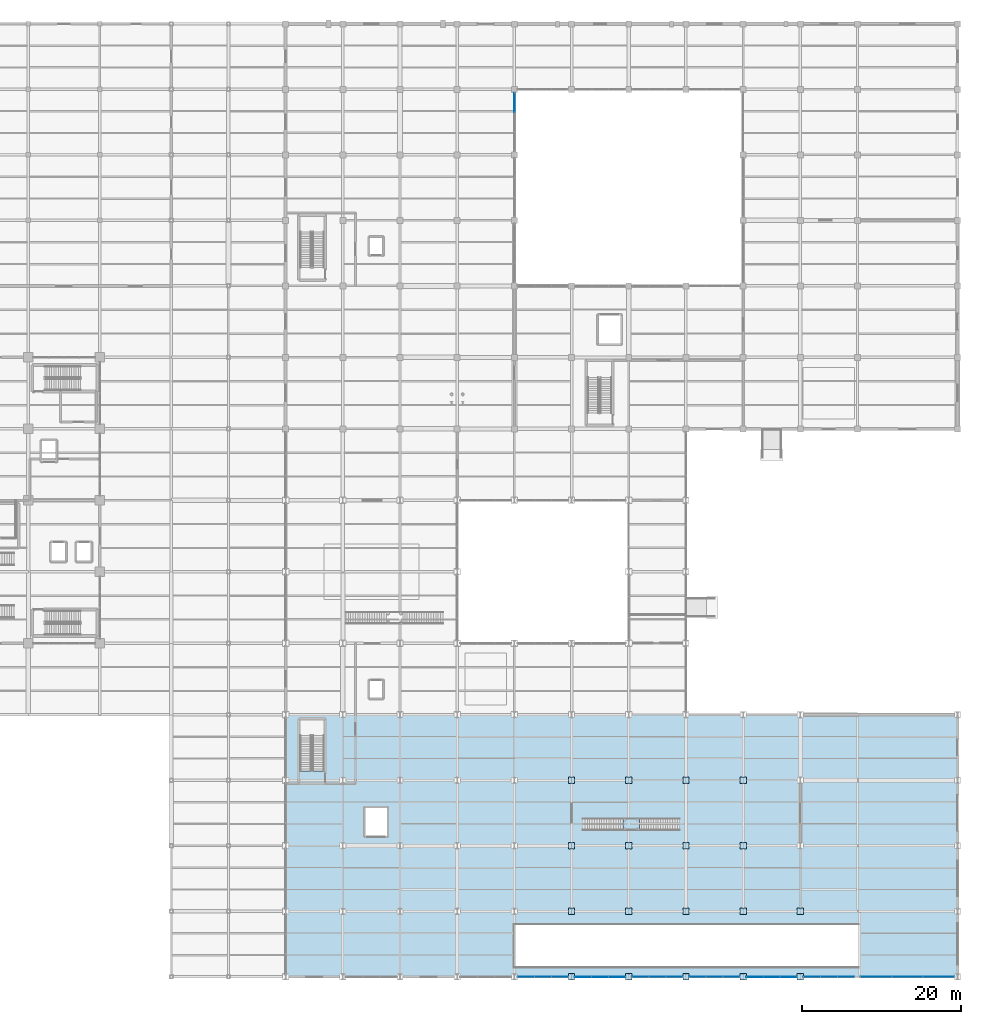
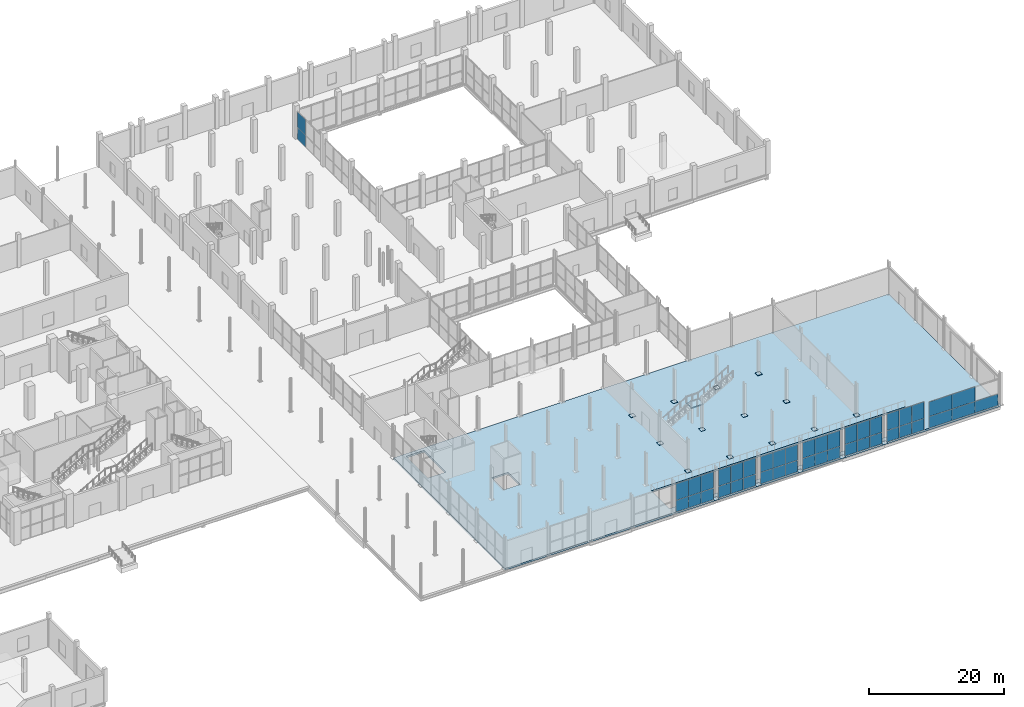
# One storey, part 119 of 144: 61 plates, 2 slabs, 9 elements without a shape of their own.
"""IFC4 building model written with IfcOpenShell, lengths in metres."""

from ifc_helpers import new_model, si_unit, direction, frame, origin, origin_2d, place, context, subcontext, project, spatial, polyline, rectangle, outline, extrude, material, layer, layer_set, type_object, element, aggregate, save


model = new_model("IFC4")

# Units and contexts
model_context = context("Model", 3, precision=1e-05, world=origin(), true_north=direction((0.0, 1.0)))
body_context = subcontext(model_context, "Body", "Model", "MODEL_VIEW")
ifc_project = project(units=[si_unit("LENGTHUNIT", "METRE"), si_unit("AREAUNIT", "SQUARE_METRE"), si_unit("VOLUMEUNIT", "CUBIC_METRE"), si_unit("PLANEANGLEUNIT", "RADIAN"), si_unit("MASSUNIT", "GRAM", prefix="KILO")], contexts=[model_context])

# Site, building, storey
site_placement = place(None, origin())
site = spatial("IfcSite", under=ifc_project, at=site_placement, CompositionType="ELEMENT")
building_placement = place(site_placement, origin())
building = spatial("IfcBuilding", under=site, at=building_placement, Name="Sundgate Opera House", CompositionType="ELEMENT")
storey_placement = place(building_placement, origin())
storey = spatial("IfcBuildingStorey", under=building, at=storey_placement, Name="L00", CompositionType="ELEMENT", Elevation=0.0)

# Curtain wall, plates
ifc_material_1 = material(Name="Anodized aluminium and low-iron glass", Category="aluminium")
ifc_layer_1 = layer(ifc_material_1, 0.159912109375)
ifc_layer_set_1 = layer_set([ifc_layer_1], Name="Anodized aluminium and low-iron glass")
curtain_wall_type_1 = type_object("IfcCurtainWallType", Name="CW-STUDIO-DARK", PredefinedType="NOTDEFINED", material=ifc_layer_set_1)
curtain_wall_1_placement = place(storey_placement, origin())
curtain_wall_1 = element("IfcCurtainWall", 1, at=curtain_wall_1_placement, inside=storey, type_object=curtain_wall_type_1, Name="L00 Curtain Wall CW092", PredefinedType="NOTDEFINED")
ifc_material_2 = material(Name="Low-iron triple acoustic glazing", Category="glass")
ifc_layer_2 = layer(ifc_material_2, 0.035888671875)
ifc_layer_set_2 = layer_set([ifc_layer_2], Name="Low-iron triple acoustic glazing")
plate_type_1 = type_object("IfcPlateType", Name="CWP-CLEAR-36", PredefinedType="CURTAIN_PANEL", material=ifc_layer_set_2)
plate_1_placement = place(storey_placement, frame((124.199951171875, 110.074951171875, 0.02001953125), z_axis=(0.0, 0.0, 1.0), x_axis=(0.0, 1.0, 0.0)))
plate_1 = element("IfcPlate", 2, at=plate_1_placement, type_object=plate_type_1, Name="CW092 Panel 5", PredefinedType="CURTAIN_PANEL", context=body_context, shape_type="SweptSolid", body=[
    extrude(rectangle(XDim=2.409912109375, YDim=0.035888671875, at=origin_2d()), origin(), (0.0, 0.0, 1.0), 2.110107421875),
])
plate_2_placement = place(storey_placement, frame((124.199951171875, 110.074951171875, 2.170166015625), z_axis=(0.0, 0.0, 1.0), x_axis=(0.0, 1.0, 0.0)))
plate_2 = element("IfcPlate", 3, at=plate_2_placement, type_object=plate_type_1, Name="CW092 Panel 6", PredefinedType="CURTAIN_PANEL", context=body_context, shape_type="SweptSolid", body=[
    extrude(rectangle(XDim=2.409912109375, YDim=0.035888671875, at=origin_2d()), origin(), (0.0, 0.0, 1.0), 2.77490234375),
])
aggregate(curtain_wall_1, [plate_1, plate_2])

ifc_material_3 = material(Name="Anodized aluminium and low-iron glass", Category="aluminium")
ifc_layer_3 = layer(ifc_material_3, 0.14990234375)
ifc_layer_set_3 = layer_set([ifc_layer_3], Name="Anodized aluminium and low-iron glass")
curtain_wall_type_2 = type_object("IfcCurtainWallType", Name="CW-WORKSHOP-DARK", PredefinedType="NOTDEFINED", material=ifc_layer_set_3)
curtain_wall_2_placement = place(storey_placement, origin())
curtain_wall_2 = element("IfcCurtainWall", 4, at=curtain_wall_2_placement, inside=storey, type_object=curtain_wall_type_2, Name="L00 Curtain Wall CW124", PredefinedType="NOTDEFINED")
ifc_material_4 = material(Name="Dark solar-control triple acoustic glazing", Category="glass")
ifc_layer_4 = layer(ifc_material_4, 0.031982421875)
ifc_layer_set_4 = layer_set([ifc_layer_4], Name="Dark solar-control triple acoustic glazing")
plate_type_2 = type_object("IfcPlateType", Name="CWP-DARK-32", PredefinedType="CURTAIN_PANEL", material=ifc_layer_set_4)
plate_3_placement = place(storey_placement, frame((129.933349609375, 0.0, 0.02001953125), z_axis=(0.0, 0.0, 1.0), x_axis=(-1.0, 0.0, 0.0)))
plate_3 = element("IfcPlate", 5, at=plate_3_placement, type_object=plate_type_2, Name="CW124 Panel 1", PredefinedType="CURTAIN_PANEL", context=body_context, shape_type="SweptSolid", body=[
    extrude(rectangle(XDim=2.09326171875, YDim=0.031982421875, at=origin_2d()), origin(), (0.0, 0.0, 1.0), 2.06005859375),
])
plate_4_placement = place(storey_placement, frame((129.933349609375, 0.0, 2.119873046875), z_axis=(0.0, 0.0, 1.0), x_axis=(-1.0, 0.0, 0.0)))
plate_4 = element("IfcPlate", 6, at=plate_4_placement, type_object=plate_type_2, Name="CW124 Panel 2", PredefinedType="CURTAIN_PANEL", context=body_context, shape_type="SweptSolid", body=[
    extrude(rectangle(XDim=2.09326171875, YDim=0.031982421875, at=origin_2d()), origin(), (0.0, 0.0, 1.0), 2.97509765625),
])
plate_5_placement = place(storey_placement, frame((127.800048828125, 0.0, 0.02001953125), z_axis=(0.0, 0.0, 1.0), x_axis=(-1.0, 0.0, 0.0)))
plate_5 = element("IfcPlate", 7, at=plate_5_placement, type_object=plate_type_2, Name="CW124 Panel 3", PredefinedType="CURTAIN_PANEL", context=body_context, shape_type="SweptSolid", body=[
    extrude(rectangle(XDim=2.09326171875, YDim=0.031982421875, at=origin_2d()), origin(), (0.0, 0.0, 1.0), 2.06005859375),
])
plate_6_placement = place(storey_placement, frame((127.800048828125, 0.0, 2.119873046875), z_axis=(0.0, 0.0, 1.0), x_axis=(-1.0, 0.0, 0.0)))
plate_6 = element("IfcPlate", 8, at=plate_6_placement, type_object=plate_type_2, Name="CW124 Panel 4", PredefinedType="CURTAIN_PANEL", context=body_context, shape_type="SweptSolid", body=[
    extrude(rectangle(XDim=2.09326171875, YDim=0.031982421875, at=origin_2d()), origin(), (0.0, 0.0, 1.0), 2.97509765625),
])
plate_7_placement = place(storey_placement, frame((125.666748046875, 0.0, 0.02001953125), z_axis=(0.0, 0.0, 1.0), x_axis=(-1.0, 0.0, 0.0)))
plate_7 = element("IfcPlate", 9, at=plate_7_placement, type_object=plate_type_2, Name="CW124 Panel 5", PredefinedType="CURTAIN_PANEL", context=body_context, shape_type="SweptSolid", body=[
    extrude(rectangle(XDim=2.09326171875, YDim=0.031982421875, at=origin_2d()), origin(), (0.0, 0.0, 1.0), 2.06005859375),
])
plate_8_placement = place(storey_placement, frame((125.666748046875, 0.0, 2.119873046875), z_axis=(0.0, 0.0, 1.0), x_axis=(-1.0, 0.0, 0.0)))
plate_8 = element("IfcPlate", 10, at=plate_8_placement, type_object=plate_type_2, Name="CW124 Panel 6", PredefinedType="CURTAIN_PANEL", context=body_context, shape_type="SweptSolid", body=[
    extrude(rectangle(XDim=2.09326171875, YDim=0.031982421875, at=origin_2d()), origin(), (0.0, 0.0, 1.0), 2.97509765625),
])
aggregate(curtain_wall_2, [plate_3, plate_4, plate_5, plate_6, plate_7, plate_8])

curtain_wall_3_placement = place(storey_placement, origin())
curtain_wall_3 = element("IfcCurtainWall", 11, at=curtain_wall_3_placement, inside=storey, type_object=curtain_wall_type_2, Name="L00 Curtain Wall CW126", PredefinedType="NOTDEFINED")
plate_9_placement = place(storey_placement, frame((144.333251953125, 0.0, 0.02001953125), z_axis=(0.0, 0.0, 1.0), x_axis=(-1.0, 0.0, 0.0)))
plate_9 = element("IfcPlate", 12, at=plate_9_placement, type_object=plate_type_2, Name="CW126 Panel 1", PredefinedType="CURTAIN_PANEL", context=body_context, shape_type="SweptSolid", body=[
    extrude(rectangle(XDim=2.09326171875, YDim=0.031982421875, at=origin_2d()), origin(), (0.0, 0.0, 1.0), 2.06005859375),
])
plate_10_placement = place(storey_placement, frame((144.333251953125, 0.0, 2.1201171875), z_axis=(0.0, 0.0, 1.0), x_axis=(-1.0, 0.0, 0.0)))
plate_10 = element("IfcPlate", 13, at=plate_10_placement, type_object=plate_type_2, Name="CW126 Panel 2", PredefinedType="CURTAIN_PANEL", context=body_context, shape_type="SweptSolid", body=[
    extrude(rectangle(XDim=2.09326171875, YDim=0.031982421875, at=origin_2d()), origin(), (0.0, 0.0, 1.0), 2.824951171875),
])
plate_11_placement = place(storey_placement, frame((142.199951171875, 0.0, 0.02001953125), z_axis=(0.0, 0.0, 1.0), x_axis=(-1.0, 0.0, 0.0)))
plate_11 = element("IfcPlate", 14, at=plate_11_placement, type_object=plate_type_2, Name="CW126 Panel 3", PredefinedType="CURTAIN_PANEL", context=body_context, shape_type="SweptSolid", body=[
    extrude(rectangle(XDim=2.09326171875, YDim=0.031982421875, at=origin_2d()), origin(), (0.0, 0.0, 1.0), 2.06005859375),
])
plate_12_placement = place(storey_placement, frame((142.199951171875, 0.0, 2.1201171875), z_axis=(0.0, 0.0, 1.0), x_axis=(-1.0, 0.0, 0.0)))
plate_12 = element("IfcPlate", 15, at=plate_12_placement, type_object=plate_type_2, Name="CW126 Panel 4", PredefinedType="CURTAIN_PANEL", context=body_context, shape_type="SweptSolid", body=[
    extrude(rectangle(XDim=2.09326171875, YDim=0.031982421875, at=origin_2d()), origin(), (0.0, 0.0, 1.0), 2.824951171875),
])
plate_13_placement = place(storey_placement, frame((140.066650390625, 0.0, 0.02001953125), z_axis=(0.0, 0.0, 1.0), x_axis=(-1.0, 0.0, 0.0)))
plate_13 = element("IfcPlate", 16, at=plate_13_placement, type_object=plate_type_2, Name="CW126 Panel 5", PredefinedType="CURTAIN_PANEL", context=body_context, shape_type="SweptSolid", body=[
    extrude(rectangle(XDim=2.09326171875, YDim=0.031982421875, at=origin_2d()), origin(), (0.0, 0.0, 1.0), 2.06005859375),
])
plate_14_placement = place(storey_placement, frame((140.066650390625, 0.0, 2.1201171875), z_axis=(0.0, 0.0, 1.0), x_axis=(-1.0, 0.0, 0.0)))
plate_14 = element("IfcPlate", 17, at=plate_14_placement, type_object=plate_type_2, Name="CW126 Panel 6", PredefinedType="CURTAIN_PANEL", context=body_context, shape_type="SweptSolid", body=[
    extrude(rectangle(XDim=2.09326171875, YDim=0.031982421875, at=origin_2d()), origin(), (0.0, 0.0, 1.0), 2.824951171875),
])
aggregate(curtain_wall_3, [plate_9, plate_10, plate_11, plate_12, plate_13, plate_14])

curtain_wall_4_placement = place(storey_placement, origin())
curtain_wall_4 = element("IfcCurtainWall", 18, at=curtain_wall_4_placement, inside=storey, type_object=curtain_wall_type_2, Name="L00 Curtain Wall CW127", PredefinedType="NOTDEFINED")
plate_15_placement = place(storey_placement, frame((151.533447265625, 0.0, 0.02001953125), z_axis=(0.0, 0.0, 1.0), x_axis=(-1.0, 0.0, 0.0)))
plate_15 = element("IfcPlate", 19, at=plate_15_placement, type_object=plate_type_2, Name="CW127 Panel 1", PredefinedType="CURTAIN_PANEL", context=body_context, shape_type="SweptSolid", body=[
    extrude(rectangle(XDim=2.09326171875, YDim=0.031982421875, at=origin_2d()), origin(), (0.0, 0.0, 1.0), 2.06005859375),
])
plate_16_placement = place(storey_placement, frame((151.533447265625, 0.0, 2.1201171875), z_axis=(0.0, 0.0, 1.0), x_axis=(-1.0, 0.0, 0.0)))
plate_16 = element("IfcPlate", 20, at=plate_16_placement, type_object=plate_type_2, Name="CW127 Panel 2", PredefinedType="CURTAIN_PANEL", context=body_context, shape_type="SweptSolid", body=[
    extrude(rectangle(XDim=2.09326171875, YDim=0.031982421875, at=origin_2d()), origin(), (0.0, 0.0, 1.0), 2.824951171875),
])
plate_17_placement = place(storey_placement, frame((149.39990234375, 0.0, 0.02001953125), z_axis=(0.0, 0.0, 1.0), x_axis=(-1.0, 0.0, 0.0)))
plate_17 = element("IfcPlate", 21, at=plate_17_placement, type_object=plate_type_2, Name="CW127 Panel 3", PredefinedType="CURTAIN_PANEL", context=body_context, shape_type="SweptSolid", body=[
    extrude(rectangle(XDim=2.09326171875, YDim=0.031982421875, at=origin_2d()), origin(), (0.0, 0.0, 1.0), 2.06005859375),
])
plate_18_placement = place(storey_placement, frame((149.39990234375, 0.0, 2.1201171875), z_axis=(0.0, 0.0, 1.0), x_axis=(-1.0, 0.0, 0.0)))
plate_18 = element("IfcPlate", 22, at=plate_18_placement, type_object=plate_type_2, Name="CW127 Panel 4", PredefinedType="CURTAIN_PANEL", context=body_context, shape_type="SweptSolid", body=[
    extrude(rectangle(XDim=2.09326171875, YDim=0.031982421875, at=origin_2d()), origin(), (0.0, 0.0, 1.0), 2.824951171875),
])
plate_19_placement = place(storey_placement, frame((147.2666015625, 0.0, 0.02001953125), z_axis=(0.0, 0.0, 1.0), x_axis=(-1.0, 0.0, 0.0)))
plate_19 = element("IfcPlate", 23, at=plate_19_placement, type_object=plate_type_2, Name="CW127 Panel 5", PredefinedType="CURTAIN_PANEL", context=body_context, shape_type="SweptSolid", body=[
    extrude(rectangle(XDim=2.09326171875, YDim=0.031982421875, at=origin_2d()), origin(), (0.0, 0.0, 1.0), 2.06005859375),
])
plate_20_placement = place(storey_placement, frame((147.2666015625, 0.0, 2.1201171875), z_axis=(0.0, 0.0, 1.0), x_axis=(-1.0, 0.0, 0.0)))
plate_20 = element("IfcPlate", 24, at=plate_20_placement, type_object=plate_type_2, Name="CW127 Panel 6", PredefinedType="CURTAIN_PANEL", context=body_context, shape_type="SweptSolid", body=[
    extrude(rectangle(XDim=2.09326171875, YDim=0.031982421875, at=origin_2d()), origin(), (0.0, 0.0, 1.0), 2.824951171875),
])
aggregate(curtain_wall_4, [plate_15, plate_16, plate_17, plate_18, plate_19, plate_20])

curtain_wall_5_placement = place(storey_placement, origin())
curtain_wall_5 = element("IfcCurtainWall", 25, at=curtain_wall_5_placement, inside=storey, type_object=curtain_wall_type_2, Name="L00 Curtain Wall CW129", PredefinedType="NOTDEFINED")
plate_21_placement = place(storey_placement, frame((165.933349609375, 0.0, 0.02001953125), z_axis=(0.0, 0.0, 1.0), x_axis=(-1.0, 0.0, 0.0)))
plate_21 = element("IfcPlate", 26, at=plate_21_placement, type_object=plate_type_2, Name="CW129 Panel 1", PredefinedType="CURTAIN_PANEL", context=body_context, shape_type="SweptSolid", body=[
    extrude(rectangle(XDim=2.09326171875, YDim=0.031982421875, at=origin_2d()), origin(), (0.0, 0.0, 1.0), 2.06005859375),
])
plate_22_placement = place(storey_placement, frame((165.933349609375, 0.0, 2.119873046875), z_axis=(0.0, 0.0, 1.0), x_axis=(-1.0, 0.0, 0.0)))
plate_22 = element("IfcPlate", 27, at=plate_22_placement, type_object=plate_type_2, Name="CW129 Panel 2", PredefinedType="CURTAIN_PANEL", context=body_context, shape_type="SweptSolid", body=[
    extrude(rectangle(XDim=2.09326171875, YDim=0.031982421875, at=origin_2d()), origin(), (0.0, 0.0, 1.0), 2.97509765625),
])
plate_23_placement = place(storey_placement, frame((163.800048828125, 0.0, 0.02001953125), z_axis=(0.0, 0.0, 1.0), x_axis=(-1.0, 0.0, 0.0)))
plate_23 = element("IfcPlate", 28, at=plate_23_placement, type_object=plate_type_2, Name="CW129 Panel 3", PredefinedType="CURTAIN_PANEL", context=body_context, shape_type="SweptSolid", body=[
    extrude(rectangle(XDim=2.09326171875, YDim=0.031982421875, at=origin_2d()), origin(), (0.0, 0.0, 1.0), 2.06005859375),
])
plate_24_placement = place(storey_placement, frame((163.800048828125, 0.0, 2.119873046875), z_axis=(0.0, 0.0, 1.0), x_axis=(-1.0, 0.0, 0.0)))
plate_24 = element("IfcPlate", 29, at=plate_24_placement, type_object=plate_type_2, Name="CW129 Panel 4", PredefinedType="CURTAIN_PANEL", context=body_context, shape_type="SweptSolid", body=[
    extrude(rectangle(XDim=2.09326171875, YDim=0.031982421875, at=origin_2d()), origin(), (0.0, 0.0, 1.0), 2.97509765625),
])
plate_25_placement = place(storey_placement, frame((161.666748046875, 0.0, 0.02001953125), z_axis=(0.0, 0.0, 1.0), x_axis=(-1.0, 0.0, 0.0)))
plate_25 = element("IfcPlate", 30, at=plate_25_placement, type_object=plate_type_2, Name="CW129 Panel 5", PredefinedType="CURTAIN_PANEL", context=body_context, shape_type="SweptSolid", body=[
    extrude(rectangle(XDim=2.09326171875, YDim=0.031982421875, at=origin_2d()), origin(), (0.0, 0.0, 1.0), 2.06005859375),
])
plate_26_placement = place(storey_placement, frame((161.666748046875, 0.0, 2.119873046875), z_axis=(0.0, 0.0, 1.0), x_axis=(-1.0, 0.0, 0.0)))
plate_26 = element("IfcPlate", 31, at=plate_26_placement, type_object=plate_type_2, Name="CW129 Panel 6", PredefinedType="CURTAIN_PANEL", context=body_context, shape_type="SweptSolid", body=[
    extrude(rectangle(XDim=2.09326171875, YDim=0.031982421875, at=origin_2d()), origin(), (0.0, 0.0, 1.0), 2.97509765625),
])
aggregate(curtain_wall_5, [plate_21, plate_22, plate_23, plate_24, plate_25, plate_26])

curtain_wall_6_placement = place(storey_placement, origin())
curtain_wall_6 = element("IfcCurtainWall", 32, at=curtain_wall_6_placement, inside=storey, type_object=curtain_wall_type_2, Name="L00 Curtain Wall CW130", PredefinedType="NOTDEFINED")
plate_27_placement = place(storey_placement, frame((177.63330078125, 0.0, 0.02001953125), z_axis=(0.0, 0.0, 1.0), x_axis=(-1.0, 0.0, 0.0)))
plate_27 = element("IfcPlate", 33, at=plate_27_placement, type_object=plate_type_2, Name="CW130 Panel 1", PredefinedType="CURTAIN_PANEL", context=body_context, shape_type="SweptSolid", body=[
    extrude(rectangle(XDim=3.893310546875, YDim=0.031982421875, at=origin_2d()), origin(), (0.0, 0.0, 1.0), 2.06005859375),
])
plate_28_placement = place(storey_placement, frame((173.699951171875, 0.0, 0.02001953125), z_axis=(0.0, 0.0, 1.0), x_axis=(-1.0, 0.0, 0.0)))
plate_28 = element("IfcPlate", 34, at=plate_28_placement, type_object=plate_type_2, Name="CW130 Panel 3", PredefinedType="CURTAIN_PANEL", context=body_context, shape_type="SweptSolid", body=[
    extrude(rectangle(XDim=3.893310546875, YDim=0.031982421875, at=origin_2d()), origin(), (0.0, 0.0, 1.0), 2.06005859375),
])
plate_29_placement = place(storey_placement, frame((173.699951171875, 0.0, 2.1201171875), z_axis=(0.0, 0.0, 1.0), x_axis=(-1.0, 0.0, 0.0)))
plate_29 = element("IfcPlate", 35, at=plate_29_placement, type_object=plate_type_2, Name="CW130 Panel 4", PredefinedType="CURTAIN_PANEL", context=body_context, shape_type="SweptSolid", body=[
    extrude(rectangle(XDim=3.893310546875, YDim=0.031982421875, at=origin_2d()), origin(), (0.0, 0.0, 1.0), 2.6298828125),
])
plate_30_placement = place(storey_placement, frame((169.7666015625, 0.0, 0.02001953125), z_axis=(0.0, 0.0, 1.0), x_axis=(-1.0, 0.0, 0.0)))
plate_30 = element("IfcPlate", 36, at=plate_30_placement, type_object=plate_type_2, Name="CW130 Panel 5", PredefinedType="CURTAIN_PANEL", context=body_context, shape_type="SweptSolid", body=[
    extrude(rectangle(XDim=3.893310546875, YDim=0.031982421875, at=origin_2d()), origin(), (0.0, 0.0, 1.0), 2.06005859375),
])
plate_31_placement = place(storey_placement, frame((169.7666015625, 0.0, 2.1201171875), z_axis=(0.0, 0.0, 1.0), x_axis=(-1.0, 0.0, 0.0)))
plate_31 = element("IfcPlate", 37, at=plate_31_placement, type_object=plate_type_2, Name="CW130 Panel 6", PredefinedType="CURTAIN_PANEL", context=body_context, shape_type="SweptSolid", body=[
    extrude(rectangle(XDim=3.893310546875, YDim=0.031982421875, at=origin_2d()), origin(), (0.0, 0.0, 1.0), 2.6298828125),
])
aggregate(curtain_wall_6, [plate_27, plate_28, plate_29, plate_30, plate_31])

curtain_wall_7_placement = place(storey_placement, origin())
curtain_wall_7 = element("IfcCurtainWall", 38, at=curtain_wall_7_placement, inside=storey, type_object=curtain_wall_type_2, Name="L00 Curtain Wall CW125", PredefinedType="NOTDEFINED")
ifc_material_5 = material(Name="Vitrified stoneware trencadis spandrel panel", Category="masonry")
ifc_layer_5 = layer(ifc_material_5, 0.0419921875)
ifc_layer_set_5 = layer_set([ifc_layer_5], Name="Vitrified stoneware trencadis spandrel panel")
plate_type_3 = type_object("IfcPlateType", Name="CWP-SPAND-42", PredefinedType="CURTAIN_PANEL", material=ifc_layer_set_5)
plate_32_placement = place(storey_placement, frame((137.13330078125, 0.0, 0.02001953125), z_axis=(0.0, 0.0, 1.0), x_axis=(-1.0, 0.0, 0.0)))
plate_32 = element("IfcPlate", 39, at=plate_32_placement, type_object=plate_type_3, Name="CW125 Panel 1", PredefinedType="CURTAIN_PANEL", context=body_context, shape_type="SweptSolid", body=[
    extrude(rectangle(XDim=2.09326171875, YDim=0.0419921875, at=origin_2d()), origin(), (0.0, 0.0, 1.0), 2.06005859375),
])
plate_33_placement = place(storey_placement, frame((137.13330078125, 0.0, 2.119873046875), z_axis=(0.0, 0.0, 1.0), x_axis=(-1.0, 0.0, 0.0)))
plate_33 = element("IfcPlate", 40, at=plate_33_placement, type_object=plate_type_3, Name="CW125 Panel 2", PredefinedType="CURTAIN_PANEL", context=body_context, shape_type="SweptSolid", body=[
    extrude(rectangle(XDim=2.09326171875, YDim=0.0419921875, at=origin_2d()), origin(), (0.0, 0.0, 1.0), 2.93505859375),
])
plate_34_placement = place(storey_placement, frame((135.0, 0.0, 0.02001953125), z_axis=(0.0, 0.0, 1.0), x_axis=(-1.0, 0.0, 0.0)))
plate_34 = element("IfcPlate", 41, at=plate_34_placement, type_object=plate_type_3, Name="CW125 Panel 3", PredefinedType="CURTAIN_PANEL", context=body_context, shape_type="SweptSolid", body=[
    extrude(rectangle(XDim=2.09326171875, YDim=0.0419921875, at=origin_2d()), origin(), (0.0, 0.0, 1.0), 2.06005859375),
])
plate_35_placement = place(storey_placement, frame((135.0, 0.0, 2.119873046875), z_axis=(0.0, 0.0, 1.0), x_axis=(-1.0, 0.0, 0.0)))
plate_35 = element("IfcPlate", 42, at=plate_35_placement, type_object=plate_type_3, Name="CW125 Panel 4", PredefinedType="CURTAIN_PANEL", context=body_context, shape_type="SweptSolid", body=[
    extrude(rectangle(XDim=2.09326171875, YDim=0.0419921875, at=origin_2d()), origin(), (0.0, 0.0, 1.0), 2.93505859375),
])
plate_36_placement = place(storey_placement, frame((132.86669921875, 0.0, 0.02001953125), z_axis=(0.0, 0.0, 1.0), x_axis=(-1.0, 0.0, 0.0)))
plate_36 = element("IfcPlate", 43, at=plate_36_placement, type_object=plate_type_3, Name="CW125 Panel 5", PredefinedType="CURTAIN_PANEL", context=body_context, shape_type="SweptSolid", body=[
    extrude(rectangle(XDim=2.09326171875, YDim=0.0419921875, at=origin_2d()), origin(), (0.0, 0.0, 1.0), 2.06005859375),
])
plate_37_placement = place(storey_placement, frame((132.86669921875, 0.0, 2.119873046875), z_axis=(0.0, 0.0, 1.0), x_axis=(-1.0, 0.0, 0.0)))
plate_37 = element("IfcPlate", 44, at=plate_37_placement, type_object=plate_type_3, Name="CW125 Panel 6", PredefinedType="CURTAIN_PANEL", context=body_context, shape_type="SweptSolid", body=[
    extrude(rectangle(XDim=2.09326171875, YDim=0.0419921875, at=origin_2d()), origin(), (0.0, 0.0, 1.0), 2.93505859375),
])
aggregate(curtain_wall_7, [plate_32, plate_33, plate_34, plate_35, plate_36, plate_37])

curtain_wall_8_placement = place(storey_placement, origin())
curtain_wall_8 = element("IfcCurtainWall", 45, at=curtain_wall_8_placement, inside=storey, type_object=curtain_wall_type_2, Name="L00 Curtain Wall CW128", PredefinedType="NOTDEFINED")
plate_38_placement = place(storey_placement, frame((158.7333984375, 0.0, 0.02001953125), z_axis=(0.0, 0.0, 1.0), x_axis=(-1.0, 0.0, 0.0)))
plate_38 = element("IfcPlate", 46, at=plate_38_placement, type_object=plate_type_3, Name="CW128 Panel 1", PredefinedType="CURTAIN_PANEL", context=body_context, shape_type="SweptSolid", body=[
    extrude(rectangle(XDim=2.09326171875, YDim=0.0419921875, at=origin_2d()), origin(), (0.0, 0.0, 1.0), 2.06005859375),
])
plate_39_placement = place(storey_placement, frame((158.7333984375, 0.0, 2.119873046875), z_axis=(0.0, 0.0, 1.0), x_axis=(-1.0, 0.0, 0.0)))
plate_39 = element("IfcPlate", 47, at=plate_39_placement, type_object=plate_type_3, Name="CW128 Panel 2", PredefinedType="CURTAIN_PANEL", context=body_context, shape_type="SweptSolid", body=[
    extrude(rectangle(XDim=2.09326171875, YDim=0.0419921875, at=origin_2d()), origin(), (0.0, 0.0, 1.0), 2.97509765625),
])
plate_40_placement = place(storey_placement, frame((156.60009765625, 0.0, 0.02001953125), z_axis=(0.0, 0.0, 1.0), x_axis=(-1.0, 0.0, 0.0)))
plate_40 = element("IfcPlate", 48, at=plate_40_placement, type_object=plate_type_3, Name="CW128 Panel 3", PredefinedType="CURTAIN_PANEL", context=body_context, shape_type="SweptSolid", body=[
    extrude(rectangle(XDim=2.09326171875, YDim=0.0419921875, at=origin_2d()), origin(), (0.0, 0.0, 1.0), 2.06005859375),
])
plate_41_placement = place(storey_placement, frame((156.60009765625, 0.0, 2.119873046875), z_axis=(0.0, 0.0, 1.0), x_axis=(-1.0, 0.0, 0.0)))
plate_41 = element("IfcPlate", 49, at=plate_41_placement, type_object=plate_type_3, Name="CW128 Panel 4", PredefinedType="CURTAIN_PANEL", context=body_context, shape_type="SweptSolid", body=[
    extrude(rectangle(XDim=2.09326171875, YDim=0.0419921875, at=origin_2d()), origin(), (0.0, 0.0, 1.0), 2.97509765625),
])
plate_42_placement = place(storey_placement, frame((154.466552734375, 0.0, 0.02001953125), z_axis=(0.0, 0.0, 1.0), x_axis=(-1.0, 0.0, 0.0)))
plate_42 = element("IfcPlate", 50, at=plate_42_placement, type_object=plate_type_3, Name="CW128 Panel 5", PredefinedType="CURTAIN_PANEL", context=body_context, shape_type="SweptSolid", body=[
    extrude(rectangle(XDim=2.09326171875, YDim=0.0419921875, at=origin_2d()), origin(), (0.0, 0.0, 1.0), 2.06005859375),
])
plate_43_placement = place(storey_placement, frame((154.466552734375, 0.0, 2.119873046875), z_axis=(0.0, 0.0, 1.0), x_axis=(-1.0, 0.0, 0.0)))
plate_43 = element("IfcPlate", 51, at=plate_43_placement, type_object=plate_type_3, Name="CW128 Panel 6", PredefinedType="CURTAIN_PANEL", context=body_context, shape_type="SweptSolid", body=[
    extrude(rectangle(XDim=2.09326171875, YDim=0.0419921875, at=origin_2d()), origin(), (0.0, 0.0, 1.0), 2.97509765625),
])
aggregate(curtain_wall_8, [plate_38, plate_39, plate_40, plate_41, plate_42, plate_43])

# Plates
ifc_material_6 = material(Name="Steel S355J2", Category="steel")
ifc_layer_6 = layer(ifc_material_6, 0.02587890625)
ifc_layer_set_6 = layer_set([ifc_layer_6], Name="Steel S355J2")
plate_type_4 = type_object("IfcPlateType", Name="PT-BAS-26", PredefinedType="USERDEFINED", material=ifc_layer_set_6)
for number, where, z_axis, x_axis, name in (
    (52, (138.60009765625, 16.5, 0.0), (0.0, 0.0, 1.0), (1.0, 0.0, 0.0), "L00 Base Plate PT0335"),
    (53, (145.800048828125, 0.0, 0.0), (0.0, 0.0, 1.0), (1.0, 0.0, 0.0), "L00 Base Plate PT0353"),
):
    element("IfcPlate", number, at=place(storey_placement, frame(where, z_axis=z_axis, x_axis=x_axis)), inside=storey, type_object=plate_type_4, Name=name, ObjectType="BASE PLATE", PredefinedType="USERDEFINED", context=body_context, shape_type="SweptSolid", body=[
        extrude(rectangle(XDim=0.7900390625, YDim=0.7900390625, at=origin_2d()), origin(), (0.0, 0.0, 1.0), 0.02587890625),
    ])
ifc_material_7 = material(Name="Steel S355J2", Category="steel")
ifc_layer_7 = layer(ifc_material_7, 0.030029296875)
ifc_layer_set_7 = layer_set([ifc_layer_7], Name="Steel S355J2")
plate_type_5 = type_object("IfcPlateType", Name="PT-BAS-30", PredefinedType="USERDEFINED", material=ifc_layer_set_7)
plate_44_placement = place(storey_placement, frame((145.800048828125, 8.25, 0.0), z_axis=(0.0, 0.0, 1.0), x_axis=(1.0, 0.0, 0.0)))
element("IfcPlate", 54, at=plate_44_placement, inside=storey, type_object=plate_type_5, Name="L00 Base Plate PT0354", ObjectType="BASE PLATE", PredefinedType="USERDEFINED", context=body_context, shape_type="SweptSolid", body=[
    extrude(rectangle(XDim=0.7900390625, YDim=0.7900390625, at=origin_2d()), origin(), (0.0, 0.0, 1.0), 0.030029296875),
])
ifc_material_8 = material(Name="Steel S355J2", Category="steel")
ifc_layer_8 = layer(ifc_material_8, 0.033935546875)
ifc_layer_set_8 = layer_set([ifc_layer_8], Name="Steel S355J2")
plate_type_6 = type_object("IfcPlateType", Name="PT-BAS-34", PredefinedType="USERDEFINED", material=ifc_layer_set_8)
for number, where, z_axis, x_axis, name in (
    (55, (138.60009765625, 24.75, 0.0), (0.0, 0.0, 1.0), (1.0, 0.0, 0.0), "L00 Base Plate PT0338"),
    (56, (153.0, 0.0, 0.0), (0.0, 0.0, 1.0), (1.0, 0.0, 0.0), "L00 Base Plate PT0375"),
):
    element("IfcPlate", number, at=place(storey_placement, frame(where, z_axis=z_axis, x_axis=x_axis)), inside=storey, type_object=plate_type_6, Name=name, ObjectType="BASE PLATE", PredefinedType="USERDEFINED", context=body_context, shape_type="SweptSolid", body=[
        extrude(rectangle(XDim=0.7900390625, YDim=0.7900390625, at=origin_2d()), origin(), (0.0, 0.0, 1.0), 0.033935546875),
    ])
ifc_material_9 = material(Name="Steel S355J2", Category="steel")
ifc_layer_9 = layer(ifc_material_9, 0.035888671875)
ifc_layer_set_9 = layer_set([ifc_layer_9], Name="Steel S355J2")
plate_type_7 = type_object("IfcPlateType", Name="PT-BAS-36", PredefinedType="USERDEFINED", material=ifc_layer_set_9)
plate_45_placement = place(storey_placement, frame((145.800048828125, 16.5, 0.0), z_axis=(0.0, 0.0, 1.0), x_axis=(1.0, 0.0, 0.0)))
element("IfcPlate", 57, at=plate_45_placement, inside=storey, type_object=plate_type_7, Name="L00 Base Plate PT0357", ObjectType="BASE PLATE", PredefinedType="USERDEFINED", context=body_context, shape_type="SweptSolid", body=[
    extrude(rectangle(XDim=0.7900390625, YDim=0.7900390625, at=origin_2d()), origin(), (0.0, 0.0, 1.0), 0.035888671875),
])
ifc_material_10 = material(Name="Steel S355J2", Category="steel")
ifc_layer_10 = layer(ifc_material_10, 0.0400390625)
ifc_layer_set_10 = layer_set([ifc_layer_10], Name="Steel S355J2")
plate_type_8 = type_object("IfcPlateType", Name="PT-BAS-40", PredefinedType="USERDEFINED", material=ifc_layer_set_10)
for number, where, z_axis, x_axis, name in (
    (58, (131.39990234375, 0.0, 0.0), (0.0, 0.0, 1.0), (1.0, 0.0, 0.0), "L00 Base Plate PT0312"),
    (59, (153.0, 8.25, 0.0), (0.0, 0.0, 1.0), (1.0, 0.0, 0.0), "L00 Base Plate PT0377"),
):
    element("IfcPlate", number, at=place(storey_placement, frame(where, z_axis=z_axis, x_axis=x_axis)), inside=storey, type_object=plate_type_8, Name=name, ObjectType="BASE PLATE", PredefinedType="USERDEFINED", context=body_context, shape_type="SweptSolid", body=[
        extrude(rectangle(XDim=0.7900390625, YDim=0.7900390625, at=origin_2d()), origin(), (0.0, 0.0, 1.0), 0.0400390625),
    ])
ifc_material_11 = material(Name="Steel S355J2", Category="steel")
ifc_layer_11 = layer(ifc_material_11, 0.044921875)
ifc_layer_set_11 = layer_set([ifc_layer_11], Name="Steel S355J2")
plate_type_9 = type_object("IfcPlateType", Name="PT-BAS-45", PredefinedType="USERDEFINED", material=ifc_layer_set_11)
for number, where, z_axis, x_axis, name in (
    (60, (145.800048828125, 24.75, 0.0), (0.0, 0.0, 1.0), (1.0, 0.0, 0.0), "L00 Base Plate PT0360"),
    (61, (160.199951171875, 0.0, 0.0), (0.0, 0.0, 1.0), (1.0, 0.0, 0.0), "L00 Base Plate PT0389"),
):
    element("IfcPlate", number, at=place(storey_placement, frame(where, z_axis=z_axis, x_axis=x_axis)), inside=storey, type_object=plate_type_9, Name=name, ObjectType="BASE PLATE", PredefinedType="USERDEFINED", context=body_context, shape_type="SweptSolid", body=[
        extrude(rectangle(XDim=0.7900390625, YDim=0.7900390625, at=origin_2d()), origin(), (0.0, 0.0, 1.0), 0.044921875),
    ])
ifc_material_12 = material(Name="Steel S355J2", Category="steel")
ifc_layer_12 = layer(ifc_material_12, 0.050048828125)
ifc_layer_set_12 = layer_set([ifc_layer_12], Name="Steel S355J2")
plate_type_10 = type_object("IfcPlateType", Name="PT-BAS-50", PredefinedType="USERDEFINED", material=ifc_layer_set_12)
for number, where, z_axis, x_axis, name in (
    (62, (131.39990234375, 8.25, 0.0), (0.0, 0.0, 1.0), (1.0, 0.0, 0.0), "L00 Base Plate PT0313"),
    (63, (153.0, 16.5, 0.0), (0.0, 0.0, 1.0), (1.0, 0.0, 0.0), "L00 Base Plate PT0380"),
):
    element("IfcPlate", number, at=place(storey_placement, frame(where, z_axis=z_axis, x_axis=x_axis)), inside=storey, type_object=plate_type_10, Name=name, ObjectType="BASE PLATE", PredefinedType="USERDEFINED", context=body_context, shape_type="SweptSolid", body=[
        extrude(rectangle(XDim=0.7900390625, YDim=0.7900390625, at=origin_2d()), origin(), (0.0, 0.0, 1.0), 0.050048828125),
    ])
ifc_material_13 = material(Name="Steel S355J2", Category="steel")
ifc_layer_13 = layer(ifc_material_13, 0.055908203125)
ifc_layer_set_13 = layer_set([ifc_layer_13], Name="Steel S355J2")
plate_type_11 = type_object("IfcPlateType", Name="PT-BAS-56", PredefinedType="USERDEFINED", material=ifc_layer_set_13)
for number, where, z_axis, x_axis, name in (
    (64, (131.39990234375, 24.75, 0.0), (0.0, 0.0, 1.0), (1.0, 0.0, 0.0), "L00 Base Plate PT0319"),
    (65, (138.60009765625, 8.25, 0.0), (0.0, 0.0, 1.0), (1.0, 0.0, 0.0), "L00 Base Plate PT0332"),
):
    element("IfcPlate", number, at=place(storey_placement, frame(where, z_axis=z_axis, x_axis=x_axis)), inside=storey, type_object=plate_type_11, Name=name, ObjectType="BASE PLATE", PredefinedType="USERDEFINED", context=body_context, shape_type="SweptSolid", body=[
        extrude(rectangle(XDim=0.7900390625, YDim=0.7900390625, at=origin_2d()), origin(), (0.0, 0.0, 1.0), 0.055908203125),
    ])
ifc_material_14 = material(Name="Steel S355J2", Category="steel")
ifc_layer_14 = layer(ifc_material_14, 0.06201171875)
ifc_layer_set_14 = layer_set([ifc_layer_14], Name="Steel S355J2")
plate_type_12 = type_object("IfcPlateType", Name="PT-BAS-62", PredefinedType="USERDEFINED", material=ifc_layer_set_14)
for number, where, z_axis, x_axis, name in (
    (66, (131.39990234375, 16.5, 0.0), (0.0, 0.0, 1.0), (1.0, 0.0, 0.0), "L00 Base Plate PT0316"),
    (67, (153.0, 24.75, 0.0), (0.0, 0.0, 1.0), (1.0, 0.0, 0.0), "L00 Base Plate PT0383"),
):
    element("IfcPlate", number, at=place(storey_placement, frame(where, z_axis=z_axis, x_axis=x_axis)), inside=storey, type_object=plate_type_12, Name=name, ObjectType="BASE PLATE", PredefinedType="USERDEFINED", context=body_context, shape_type="SweptSolid", body=[
        extrude(rectangle(XDim=0.7900390625, YDim=0.7900390625, at=origin_2d()), origin(), (0.0, 0.0, 1.0), 0.06201171875),
    ])
ifc_material_15 = material(Name="Steel S355J2", Category="steel")
ifc_layer_15 = layer(ifc_material_15, 0.068115234375)
ifc_layer_set_15 = layer_set([ifc_layer_15], Name="Steel S355J2")
plate_type_13 = type_object("IfcPlateType", Name="PT-BAS-68", PredefinedType="USERDEFINED", material=ifc_layer_set_15)
for number, where, z_axis, x_axis, name in (
    (68, (138.60009765625, 0.0, 0.0), (0.0, 0.0, 1.0), (1.0, 0.0, 0.0), "L00 Base Plate PT0331"),
    (69, (160.199951171875, 8.25, 0.0), (0.0, 0.0, 1.0), (1.0, 0.0, 0.0), "L00 Base Plate PT0391"),
):
    element("IfcPlate", number, at=place(storey_placement, frame(where, z_axis=z_axis, x_axis=x_axis)), inside=storey, type_object=plate_type_13, Name=name, ObjectType="BASE PLATE", PredefinedType="USERDEFINED", context=body_context, shape_type="SweptSolid", body=[
        extrude(rectangle(XDim=0.7900390625, YDim=0.7900390625, at=origin_2d()), origin(), (0.0, 0.0, 1.0), 0.068115234375),
    ])

# Slab
ifc_material_16 = material(Name="Concrete C40/50", Category="concrete")
ifc_layer_16 = layer(ifc_material_16, 0.320068359375)
ifc_layer_set_16 = layer_set([ifc_layer_16], Name="Concrete C40/50")
slab_type_1 = type_object("IfcSlabType", Name="SL-FLR-320", PredefinedType="FLOOR", material=ifc_layer_set_16)
slab_1_placement = place(storey_placement, frame((0.0, 0.0, -0.320068359375)))
element("IfcSlab", 70, at=slab_1_placement, inside=storey, type_object=slab_type_1, Name="L00 Structural Floor Slab V3", PredefinedType="FLOOR", context=body_context, shape_type="SweptSolid", body=[
    extrude(outline(polyline([(95.39990234375, 0.0), (180.0, 0.0), (180.0, 33.0), (95.39990234375, 33.0), (95.39990234375, 0.0)]), holes=[polyline([(124.199951171875, 6.550048828125), (167.5, 6.550048828125), (167.5, 1.25), (124.199951171875, 1.25), (124.199951171875, 6.550048828125)]), polyline([(97.199951171875, 32.39990234375), (100.25, 32.39990234375), (100.25, 25.949951171875), (97.199951171875, 25.949951171875), (97.199951171875, 32.39990234375)]), polyline([(105.419921875, 21.280029296875), (108.179931640625, 21.280029296875), (108.179931640625, 17.719970703125), (105.419921875, 17.719970703125), (105.419921875, 21.280029296875)])]), origin(), (0.0, 0.0, 1.0), 0.320068359375),
])

# Stair, slab
ifc_material_17 = material(Name="Concrete C35/45", Category="concrete")
stair_type = type_object("IfcStairType", Name="ST-SR-36R-1500", PredefinedType="STRAIGHT_RUN_STAIR", material=ifc_material_17)
stair_placement = place(storey_placement, origin())
stair = element("IfcStair", 71, at=stair_placement, inside=storey, type_object=stair_type, Name="Paint-Frame Scenic Gallery Straight Stair", PredefinedType="STRAIGHT_RUN_STAIR")
ifc_material_18 = material(Name="Concrete C35/45", Category="concrete")
ifc_layer_17 = layer(ifc_material_18, 0.219970703125)
ifc_layer_set_17 = layer_set([ifc_layer_17], Name="Concrete C35/45")
slab_type_2 = type_object("IfcSlabType", Name="SL-LAND-220", PredefinedType="LANDING", material=ifc_layer_set_17)
slab_2_placement = place(storey_placement, frame((0.0, 0.0, 2.780029296875)))
slab_2 = element("IfcSlab", 72, at=slab_2_placement, type_object=slab_type_2, Name="Paint-Frame Scenic Gallery Straight Stair Mid Landing", PredefinedType="LANDING", context=body_context, shape_type="SweptSolid", body=[
    extrude(outline(polyline([(137.8701171875, 18.449951171875), (139.9599609375, 18.449951171875), (139.9599609375, 19.949951171875), (137.8701171875, 19.949951171875), (137.8701171875, 18.449951171875)])), origin(), (0.0, 0.0, 1.0), 0.219970703125),
])
aggregate(stair, [slab_2])

save(model, "model.ifc")
